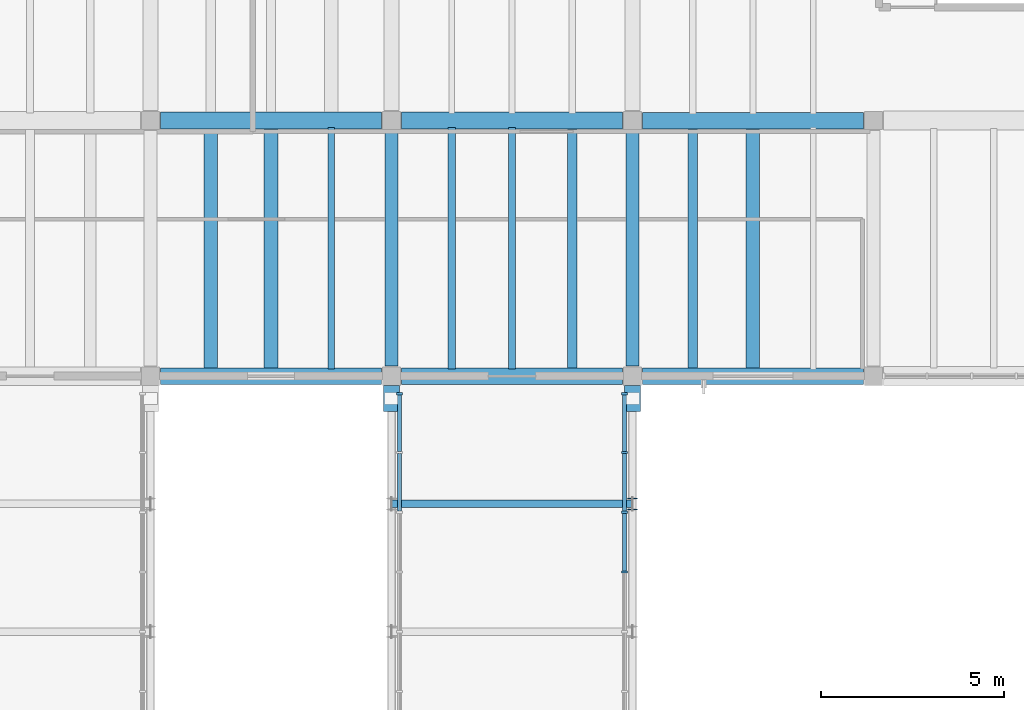
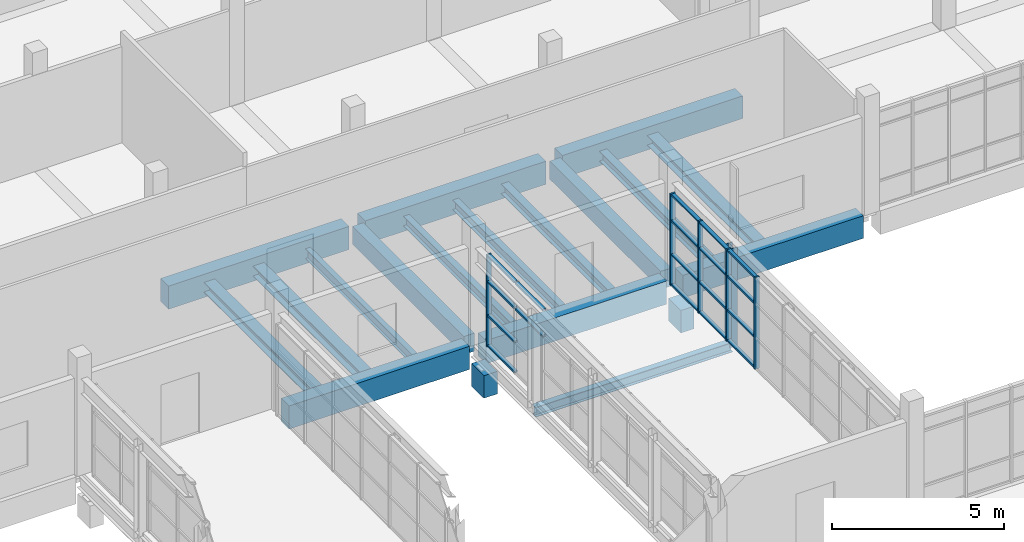
# One storey, part 27 of 65: 24 members, 19 beams, 2 elements without a shape of their own.
"""IFC4 building model written with IfcOpenShell, lengths in metres."""

from ifc_helpers import new_model, si_unit, direction, frame, origin, origin_2d, place, context, subcontext, project, spatial, rectangle, i_section, extrude, material, material_profile, profile_set, type_object, element, aggregate, save


model = new_model("IFC4")

# Units and contexts
model_context = context("Model", 3, precision=1e-05, world=origin(), true_north=direction((0.0, 1.0)))
body_context = subcontext(model_context, "Body", "Model", "MODEL_VIEW")
ifc_project = project(units=[si_unit("LENGTHUNIT", "METRE"), si_unit("AREAUNIT", "SQUARE_METRE"), si_unit("VOLUMEUNIT", "CUBIC_METRE"), si_unit("PLANEANGLEUNIT", "RADIAN"), si_unit("MASSUNIT", "GRAM", prefix="KILO")], contexts=[model_context])

# Site, building, storey
site_placement = place(None, origin())
site = spatial("IfcSite", under=ifc_project, at=site_placement, CompositionType="ELEMENT")
building_placement = place(site_placement, origin())
building = spatial("IfcBuilding", under=site, at=building_placement, Name="Ciguamira Faculty of Natural Sciences", CompositionType="ELEMENT")
storey_placement = place(building_placement, frame((0.0, 0.0, 12.60009765625)))
storey = spatial("IfcBuildingStorey", under=building, at=storey_placement, Name="L03", CompositionType="ELEMENT", Elevation=12.60009765625)

# Curtain wall, member
ifc_material_1 = material(Name="Anodized aluminium curtain wall", Category="aluminium")
curtain_wall_type_1 = type_object("IfcCurtainWallType", Name="CurtainWall_CW-12", PredefinedType="USERDEFINED", material=ifc_material_1)
curtain_wall_1_placement = place(storey_placement, origin())
curtain_wall_1 = element("IfcCurtainWall", 1, at=curtain_wall_1_placement, inside=storey, type_object=curtain_wall_type_1, Name="Link bridge BR-4 glazed curtain wall W", ObjectType="UNITISED CURTAIN WALL", PredefinedType="USERDEFINED")
ifc_material_2 = material(Name="Anodized aluminium mullion", Category="aluminium")
ifc_material_profile_1 = material_profile(ifc_material_2, rectangle(XDim=0.06005859375, YDim=0.159912109375, at=origin_2d()), Name="ALU-MUL-60X160")
ifc_profile_set_1 = profile_set([ifc_material_profile_1], Name="Anodized aluminium mullion")
member_type_1 = type_object("IfcMemberType", Name="CWMullion_CWM-01", PredefinedType="MULLION", material=ifc_profile_set_1)
member_1_placement = place(storey_placement, frame((90.52001953125, 72.52001953125, 0.0), z_axis=(0.0, 0.0, 1.0), x_axis=(0.0, 1.0, 0.0)))
member_1 = element("IfcMember", 2, at=member_1_placement, type_object=member_type_1, Name="CW-12 mullion 9", PredefinedType="MULLION", context=body_context, shape_type="SweptSolid", body=[
    extrude(rectangle(XDim=0.06005859375, YDim=0.159912109375, at=origin_2d()), origin(), (0.0, 0.0, 1.0), 3.25),
])

# Curtain wall, members
curtain_wall_type_2 = type_object("IfcCurtainWallType", Name="CurtainWall_CW-01", PredefinedType="USERDEFINED", material=ifc_material_1)
curtain_wall_2_placement = place(storey_placement, origin())
curtain_wall_2 = element("IfcCurtainWall", 3, at=curtain_wall_2_placement, inside=storey, type_object=curtain_wall_type_2, Name="Link bridge BR-4 glazed curtain wall E", ObjectType="UNITISED CURTAIN WALL", PredefinedType="USERDEFINED")
member_2_placement = place(storey_placement, frame((96.679931640625, 67.637451171875, 0.0), z_axis=(0.0, 0.0, 1.0), x_axis=(0.0, 1.0, 0.0)))
member_2 = element("IfcMember", 4, at=member_2_placement, type_object=member_type_1, Name="CW-01 mullion 6", PredefinedType="MULLION", context=body_context, shape_type="SweptSolid", body=[
    extrude(rectangle(XDim=0.06005859375, YDim=0.159912109375, at=origin_2d()), origin(), (0.0, 0.0, 1.0), 3.25),
])
member_3_placement = place(storey_placement, frame((96.679931640625, 69.27490234375, 0.0), z_axis=(0.0, 0.0, 1.0), x_axis=(0.0, 1.0, 0.0)))
member_3 = element("IfcMember", 5, at=member_3_placement, type_object=member_type_1, Name="CW-01 mullion 7", PredefinedType="MULLION", context=body_context, shape_type="SweptSolid", body=[
    extrude(rectangle(XDim=0.06005859375, YDim=0.159912109375, at=origin_2d()), origin(), (0.0, 0.0, 1.0), 3.25),
])
member_4_placement = place(storey_placement, frame((96.679931640625, 70.91259765625, 0.0), z_axis=(0.0, 0.0, 1.0), x_axis=(0.0, 1.0, 0.0)))
member_4 = element("IfcMember", 6, at=member_4_placement, type_object=member_type_1, Name="CW-01 mullion 8", PredefinedType="MULLION", context=body_context, shape_type="SweptSolid", body=[
    extrude(rectangle(XDim=0.06005859375, YDim=0.159912109375, at=origin_2d()), origin(), (0.0, 0.0, 1.0), 3.25),
])
member_5_placement = place(storey_placement, frame((96.679931640625, 72.52001953125, 0.0), z_axis=(0.0, 0.0, 1.0), x_axis=(0.0, 1.0, 0.0)))
member_5 = element("IfcMember", 7, at=member_5_placement, type_object=member_type_1, Name="CW-01 mullion 9", PredefinedType="MULLION", context=body_context, shape_type="SweptSolid", body=[
    extrude(rectangle(XDim=0.06005859375, YDim=0.159912109375, at=origin_2d()), origin(), (0.0, 0.0, 1.0), 3.25),
])

# Member
ifc_material_3 = material(Name="Anodized aluminium transom", Category="aluminium")
ifc_material_profile_2 = material_profile(ifc_material_3, rectangle(XDim=0.06005859375, YDim=0.1201171875, at=origin_2d()), Name="ALU-TRN-60X120")
ifc_profile_set_2 = profile_set([ifc_material_profile_2], Name="Anodized aluminium transom")
member_type_2 = type_object("IfcMemberType", Name="CWTransom_CWT-01", PredefinedType="USERDEFINED", material=ifc_profile_set_2)
member_6_placement = place(storey_placement, frame((90.52001953125, 69.304931640625, 2.2998046875), z_axis=(0.0, 1.0, 0.0), x_axis=(0.0, 0.0, 1.0)))
member_6 = element("IfcMember", 8, at=member_6_placement, type_object=member_type_2, Name="CW-12 transom 7.3", ObjectType="TRANSOM", PredefinedType="USERDEFINED", context=body_context, shape_type="SweptSolid", body=[
    extrude(rectangle(XDim=0.06005859375, YDim=0.1201171875, at=origin_2d()), origin(), (0.0, 0.0, 1.0), 1.57763671875),
])

member_7_placement = place(storey_placement, frame((90.52001953125, 69.304931640625, 3.219970703125), z_axis=(0.0, 1.0, 0.0), x_axis=(0.0, 0.0, 1.0)))
member_7 = element("IfcMember", 9, at=member_7_placement, type_object=member_type_2, Name="CW-12 transom 7.4", ObjectType="TRANSOM", PredefinedType="USERDEFINED", context=body_context, shape_type="SweptSolid", body=[
    extrude(rectangle(XDim=0.06005859375, YDim=0.1201171875, at=origin_2d()), origin(), (0.0, 0.0, 1.0), 1.57763671875),
])

member_8_placement = place(storey_placement, frame((90.52001953125, 70.9423828125, 0.02978515625), z_axis=(0.0, 1.0, 0.0), x_axis=(0.0, 0.0, 1.0)))
member_8 = element("IfcMember", 10, at=member_8_placement, type_object=member_type_2, Name="CW-12 transom 8.1", ObjectType="TRANSOM", PredefinedType="USERDEFINED", context=body_context, shape_type="SweptSolid", body=[
    extrude(rectangle(XDim=0.06005859375, YDim=0.1201171875, at=origin_2d()), origin(), (0.0, 0.0, 1.0), 1.547607421875),
])

member_9_placement = place(storey_placement, frame((90.52001953125, 70.9423828125, 1.099853515625), z_axis=(0.0, 1.0, 0.0), x_axis=(0.0, 0.0, 1.0)))
member_9 = element("IfcMember", 11, at=member_9_placement, type_object=member_type_2, Name="CW-12 transom 8.2", ObjectType="TRANSOM", PredefinedType="USERDEFINED", context=body_context, shape_type="SweptSolid", body=[
    extrude(rectangle(XDim=0.06005859375, YDim=0.1201171875, at=origin_2d()), origin(), (0.0, 0.0, 1.0), 1.547607421875),
])

member_10_placement = place(storey_placement, frame((90.52001953125, 70.9423828125, 2.2998046875), z_axis=(0.0, 1.0, 0.0), x_axis=(0.0, 0.0, 1.0)))
member_10 = element("IfcMember", 12, at=member_10_placement, type_object=member_type_2, Name="CW-12 transom 8.3", ObjectType="TRANSOM", PredefinedType="USERDEFINED", context=body_context, shape_type="SweptSolid", body=[
    extrude(rectangle(XDim=0.06005859375, YDim=0.1201171875, at=origin_2d()), origin(), (0.0, 0.0, 1.0), 1.547607421875),
])

member_11_placement = place(storey_placement, frame((90.52001953125, 70.9423828125, 3.219970703125), z_axis=(0.0, 1.0, 0.0), x_axis=(0.0, 0.0, 1.0)))
member_11 = element("IfcMember", 13, at=member_11_placement, type_object=member_type_2, Name="CW-12 transom 8.4", ObjectType="TRANSOM", PredefinedType="USERDEFINED", context=body_context, shape_type="SweptSolid", body=[
    extrude(rectangle(XDim=0.06005859375, YDim=0.1201171875, at=origin_2d()), origin(), (0.0, 0.0, 1.0), 1.547607421875),
])

aggregate(curtain_wall_1, [member_1, member_6, member_7, member_8, member_9, member_10, member_11])

member_12_placement = place(storey_placement, frame((96.679931640625, 67.66748046875, 0.02978515625), z_axis=(0.0, 1.0, 0.0), x_axis=(0.0, 0.0, 1.0)))
member_12 = element("IfcMember", 14, at=member_12_placement, type_object=member_type_2, Name="CW-01 transom 6.1", ObjectType="TRANSOM", PredefinedType="USERDEFINED", context=body_context, shape_type="SweptSolid", body=[
    extrude(rectangle(XDim=0.06005859375, YDim=0.1201171875, at=origin_2d()), origin(), (0.0, 0.0, 1.0), 1.57763671875),
])

member_13_placement = place(storey_placement, frame((96.679931640625, 67.66748046875, 1.099853515625), z_axis=(0.0, 1.0, 0.0), x_axis=(0.0, 0.0, 1.0)))
member_13 = element("IfcMember", 15, at=member_13_placement, type_object=member_type_2, Name="CW-01 transom 6.2", ObjectType="TRANSOM", PredefinedType="USERDEFINED", context=body_context, shape_type="SweptSolid", body=[
    extrude(rectangle(XDim=0.06005859375, YDim=0.1201171875, at=origin_2d()), origin(), (0.0, 0.0, 1.0), 1.57763671875),
])

member_14_placement = place(storey_placement, frame((96.679931640625, 67.66748046875, 2.2998046875), z_axis=(0.0, 1.0, 0.0), x_axis=(0.0, 0.0, 1.0)))
member_14 = element("IfcMember", 16, at=member_14_placement, type_object=member_type_2, Name="CW-01 transom 6.3", ObjectType="TRANSOM", PredefinedType="USERDEFINED", context=body_context, shape_type="SweptSolid", body=[
    extrude(rectangle(XDim=0.06005859375, YDim=0.1201171875, at=origin_2d()), origin(), (0.0, 0.0, 1.0), 1.57763671875),
])

member_15_placement = place(storey_placement, frame((96.679931640625, 67.66748046875, 3.219970703125), z_axis=(0.0, 1.0, 0.0), x_axis=(0.0, 0.0, 1.0)))
member_15 = element("IfcMember", 17, at=member_15_placement, type_object=member_type_2, Name="CW-01 transom 6.4", ObjectType="TRANSOM", PredefinedType="USERDEFINED", context=body_context, shape_type="SweptSolid", body=[
    extrude(rectangle(XDim=0.06005859375, YDim=0.1201171875, at=origin_2d()), origin(), (0.0, 0.0, 1.0), 1.57763671875),
])

member_16_placement = place(storey_placement, frame((96.679931640625, 69.304931640625, 0.02978515625), z_axis=(0.0, 1.0, 0.0), x_axis=(0.0, 0.0, 1.0)))
member_16 = element("IfcMember", 18, at=member_16_placement, type_object=member_type_2, Name="CW-01 transom 7.1", ObjectType="TRANSOM", PredefinedType="USERDEFINED", context=body_context, shape_type="SweptSolid", body=[
    extrude(rectangle(XDim=0.06005859375, YDim=0.1201171875, at=origin_2d()), origin(), (0.0, 0.0, 1.0), 1.57763671875),
])

member_17_placement = place(storey_placement, frame((96.679931640625, 69.304931640625, 1.099853515625), z_axis=(0.0, 1.0, 0.0), x_axis=(0.0, 0.0, 1.0)))
member_17 = element("IfcMember", 19, at=member_17_placement, type_object=member_type_2, Name="CW-01 transom 7.2", ObjectType="TRANSOM", PredefinedType="USERDEFINED", context=body_context, shape_type="SweptSolid", body=[
    extrude(rectangle(XDim=0.06005859375, YDim=0.1201171875, at=origin_2d()), origin(), (0.0, 0.0, 1.0), 1.57763671875),
])

member_18_placement = place(storey_placement, frame((96.679931640625, 69.304931640625, 2.2998046875), z_axis=(0.0, 1.0, 0.0), x_axis=(0.0, 0.0, 1.0)))
member_18 = element("IfcMember", 20, at=member_18_placement, type_object=member_type_2, Name="CW-01 transom 7.3", ObjectType="TRANSOM", PredefinedType="USERDEFINED", context=body_context, shape_type="SweptSolid", body=[
    extrude(rectangle(XDim=0.06005859375, YDim=0.1201171875, at=origin_2d()), origin(), (0.0, 0.0, 1.0), 1.57763671875),
])

member_19_placement = place(storey_placement, frame((96.679931640625, 69.304931640625, 3.219970703125), z_axis=(0.0, 1.0, 0.0), x_axis=(0.0, 0.0, 1.0)))
member_19 = element("IfcMember", 21, at=member_19_placement, type_object=member_type_2, Name="CW-01 transom 7.4", ObjectType="TRANSOM", PredefinedType="USERDEFINED", context=body_context, shape_type="SweptSolid", body=[
    extrude(rectangle(XDim=0.06005859375, YDim=0.1201171875, at=origin_2d()), origin(), (0.0, 0.0, 1.0), 1.57763671875),
])

member_20_placement = place(storey_placement, frame((96.679931640625, 70.9423828125, 0.02978515625), z_axis=(0.0, 1.0, 0.0), x_axis=(0.0, 0.0, 1.0)))
member_20 = element("IfcMember", 22, at=member_20_placement, type_object=member_type_2, Name="CW-01 transom 8.1", ObjectType="TRANSOM", PredefinedType="USERDEFINED", context=body_context, shape_type="SweptSolid", body=[
    extrude(rectangle(XDim=0.06005859375, YDim=0.1201171875, at=origin_2d()), origin(), (0.0, 0.0, 1.0), 1.547607421875),
])

member_21_placement = place(storey_placement, frame((96.679931640625, 70.9423828125, 1.099853515625), z_axis=(0.0, 1.0, 0.0), x_axis=(0.0, 0.0, 1.0)))
member_21 = element("IfcMember", 23, at=member_21_placement, type_object=member_type_2, Name="CW-01 transom 8.2", ObjectType="TRANSOM", PredefinedType="USERDEFINED", context=body_context, shape_type="SweptSolid", body=[
    extrude(rectangle(XDim=0.06005859375, YDim=0.1201171875, at=origin_2d()), origin(), (0.0, 0.0, 1.0), 1.547607421875),
])

member_22_placement = place(storey_placement, frame((96.679931640625, 70.9423828125, 2.2998046875), z_axis=(0.0, 1.0, 0.0), x_axis=(0.0, 0.0, 1.0)))
member_22 = element("IfcMember", 24, at=member_22_placement, type_object=member_type_2, Name="CW-01 transom 8.3", ObjectType="TRANSOM", PredefinedType="USERDEFINED", context=body_context, shape_type="SweptSolid", body=[
    extrude(rectangle(XDim=0.06005859375, YDim=0.1201171875, at=origin_2d()), origin(), (0.0, 0.0, 1.0), 1.547607421875),
])

member_23_placement = place(storey_placement, frame((96.679931640625, 70.9423828125, 3.219970703125), z_axis=(0.0, 1.0, 0.0), x_axis=(0.0, 0.0, 1.0)))
member_23 = element("IfcMember", 25, at=member_23_placement, type_object=member_type_2, Name="CW-01 transom 8.4", ObjectType="TRANSOM", PredefinedType="USERDEFINED", context=body_context, shape_type="SweptSolid", body=[
    extrude(rectangle(XDim=0.06005859375, YDim=0.1201171875, at=origin_2d()), origin(), (0.0, 0.0, 1.0), 1.547607421875),
])

aggregate(curtain_wall_2, [member_2, member_3, member_4, member_5, member_12, member_13, member_14, member_15, member_16, member_17, member_18, member_19, member_20, member_21, member_22, member_23])

# Beams
ifc_material_4 = material(Name="Concrete C40/50", Category="concrete")
ifc_material_profile_3 = material_profile(ifc_material_4, rectangle(XDim=0.4599609375, YDim=0.820068359375, at=origin_2d()), Name="RC-BM-460X820")
ifc_profile_set_3 = profile_set([ifc_material_profile_3], Name="Concrete C40/50")
beam_type_1 = type_object("IfcBeamType", Name="RCBeam_BG-04_RC-BM-460X820", PredefinedType="BEAM", material=ifc_profile_set_3)
beam_1_placement = place(storey_placement, frame((83.97509765625, 73.0, -0.41015625), z_axis=(1.0, 0.0, 0.0), x_axis=(0.0, 1.0, 0.0)))
element("IfcBeam", 26, at=beam_1_placement, inside=storey, type_object=beam_type_1, Name="L03 RC girder EW-1124", PredefinedType="BEAM", context=body_context, shape_type="SweptSolid", body=[
    extrude(rectangle(XDim=0.4599609375, YDim=0.820068359375, at=origin_2d()), origin(), (0.0, 0.0, 1.0), 6.0498046875),
])
beam_2_placement = place(storey_placement, frame((90.574951171875, 73.0, -0.41015625), z_axis=(1.0, 0.0, 0.0), x_axis=(0.0, 1.0, 0.0)))
element("IfcBeam", 27, at=beam_2_placement, inside=storey, type_object=beam_type_1, Name="L03 RC girder EW-1125", PredefinedType="BEAM", context=body_context, shape_type="SweptSolid", body=[
    extrude(rectangle(XDim=0.4599609375, YDim=0.820068359375, at=origin_2d()), origin(), (0.0, 0.0, 1.0), 6.050048828125),
])
beam_3_placement = place(storey_placement, frame((83.97509765625, 80.0, -0.41015625), z_axis=(1.0, 0.0, 0.0), x_axis=(0.0, 1.0, 0.0)))
element("IfcBeam", 28, at=beam_3_placement, inside=storey, type_object=beam_type_1, Name="L03 RC girder EW-1133", PredefinedType="BEAM", context=body_context, shape_type="SweptSolid", body=[
    extrude(rectangle(XDim=0.4599609375, YDim=0.820068359375, at=origin_2d()), origin(), (0.0, 0.0, 1.0), 6.0498046875),
])
beam_4_placement = place(storey_placement, frame((90.574951171875, 80.0, -0.41015625), z_axis=(1.0, 0.0, 0.0), x_axis=(0.0, 1.0, 0.0)))
element("IfcBeam", 29, at=beam_4_placement, inside=storey, type_object=beam_type_1, Name="L03 RC girder EW-1134", PredefinedType="BEAM", context=body_context, shape_type="SweptSolid", body=[
    extrude(rectangle(XDim=0.4599609375, YDim=0.820068359375, at=origin_2d()), origin(), (0.0, 0.0, 1.0), 6.050048828125),
])
ifc_material_profile_4 = material_profile(ifc_material_4, rectangle(XDim=0.449951171875, YDim=0.800048828125, at=origin_2d()), Name="RC-BM-450X800")
ifc_profile_set_4 = profile_set([ifc_material_profile_4], Name="Concrete C40/50")
beam_type_2 = type_object("IfcBeamType", Name="RCBeam_BG-05_RC-BM-450X800", PredefinedType="BEAM", material=ifc_profile_set_4)
for number, where, z_axis, x_axis, name in (
    (30, (97.175048828125, 73.0, -0.400146484375), (1.0, 0.0, 0.0), (0.0, 1.0, 0.0), "L03 RC girder EW-1126"),
    (31, (97.175048828125, 80.0, -0.400146484375), (1.0, 0.0, 0.0), (0.0, 1.0, 0.0), "L03 RC girder EW-1135"),
):
    element("IfcBeam", number, at=place(storey_placement, frame(where, z_axis=z_axis, x_axis=x_axis)), inside=storey, type_object=beam_type_2, Name=name, PredefinedType="BEAM", context=body_context, shape_type="SweptSolid", body=[
        extrude(rectangle(XDim=0.449951171875, YDim=0.800048828125, at=origin_2d()), origin(), (0.0, 0.0, 1.0), 6.050048828125),
    ])
for number, where, z_axis, x_axis, name in (
    (32, (90.300048828125, 72.030029296875, -1.015869140625), (0.0, 1.0, 0.0), (-1.0, 0.0, 0.0), "Link bridge BR-4 sliding north RC corbel seat 1"),
    (33, (96.89990234375, 72.030029296875, -1.015869140625), (0.0, 1.0, 0.0), (-1.0, 0.0, 0.0), "Link bridge BR-4 sliding north RC corbel seat 2"),
):
    element("IfcBeam", number, at=place(storey_placement, frame(where, z_axis=z_axis, x_axis=x_axis)), inside=storey, type_object=beam_type_2, Name=name, PredefinedType="BEAM", context=body_context, shape_type="SweptSolid", body=[
        extrude(rectangle(XDim=0.449951171875, YDim=0.800048828125, at=origin_2d()), origin(), (0.0, 0.0, 1.0), 0.719970703125),
    ])
ifc_material_profile_5 = material_profile(ifc_material_4, rectangle(XDim=0.360107421875, YDim=0.639892578125, at=origin_2d()), Name="RC-BM-360X640")
ifc_profile_set_5 = profile_set([ifc_material_profile_5], Name="Concrete C40/50")
beam_type_3 = type_object("IfcBeamType", Name="RCBeam_BG-10_RC-BM-360X640", PredefinedType="BEAM", material=ifc_profile_set_5)
for number, where, z_axis, x_axis, name in (
    (34, (90.300048828125, 73.27490234375, -0.320068359375), (0.0, 1.0, 0.0), (-1.0, 0.0, 0.0), "L03 girder NS-1267"),
    (35, (96.89990234375, 73.27490234375, -0.320068359375), (0.0, 1.0, 0.0), (-1.0, 0.0, 0.0), "L03 girder NS-1278"),
):
    element("IfcBeam", number, at=place(storey_placement, frame(where, z_axis=z_axis, x_axis=x_axis)), inside=storey, type_object=beam_type_3, Name=name, PredefinedType="BEAM", context=body_context, shape_type="SweptSolid", body=[
        extrude(rectangle(XDim=0.360107421875, YDim=0.639892578125, at=origin_2d()), origin(), (0.0, 0.0, 1.0), 6.4501953125),
    ])
ifc_material_5 = material(Name="Steel ASTM A992 Grade 50", Category="steel")
ifc_material_profile_6 = material_profile(ifc_material_5, i_section(OverallWidth=0.370849609375, OverallDepth=0.36328125, WebThickness=0.013427734375, FlangeThickness=0.021728515625, at=origin_2d()), Name="W14X109")
ifc_profile_set_6 = profile_set([ifc_material_profile_6], Name="Steel ASTM A992 Grade 50")
beam_type_4 = type_object("IfcBeamType", Name="SteelJoist_SJ-09_W14X109", PredefinedType="JOIST", material=ifc_profile_set_6)
beam_5_placement = place(storey_placement, frame((85.35009765625, 73.18994140625, -0.461669921875), z_axis=(0.0, 1.0, 0.0), x_axis=(-1.0, 0.0, 0.0)))
element("IfcBeam", 36, at=beam_5_placement, inside=storey, type_object=beam_type_4, Name="L03 composite steel joist 01140", PredefinedType="JOIST", context=body_context, shape_type="SweptSolid", body=[
    extrude(i_section(OverallWidth=0.370849609375, OverallDepth=0.36328125, WebThickness=0.013427734375, FlangeThickness=0.021728515625, at=origin_2d()), origin(), (0.0, 0.0, 1.0), 6.6201171875),
])
ifc_material_profile_7 = material_profile(ifc_material_5, i_section(OverallWidth=0.373291015625, OverallDepth=0.373291015625, WebThickness=0.016357421875, FlangeThickness=0.026123046875, at=origin_2d()), Name="W14X132")
ifc_profile_set_7 = profile_set([ifc_material_profile_7], Name="Steel ASTM A992 Grade 50")
beam_type_5 = type_object("IfcBeamType", Name="SteelJoist_SJ-10_W14X132", PredefinedType="JOIST", material=ifc_profile_set_7)
beam_6_placement = place(storey_placement, frame((87.0, 73.18994140625, -0.466796875), z_axis=(0.0, 1.0, 0.0), x_axis=(-1.0, 0.0, 0.0)))
element("IfcBeam", 37, at=beam_6_placement, inside=storey, type_object=beam_type_5, Name="L03 composite steel joist 01141", PredefinedType="JOIST", context=body_context, shape_type="SweptSolid", body=[
    extrude(i_section(OverallWidth=0.373291015625, OverallDepth=0.373291015625, WebThickness=0.016357421875, FlangeThickness=0.026123046875, at=origin_2d()), origin(), (0.0, 0.0, 1.0), 6.6201171875),
])
ifc_material_profile_8 = material_profile(ifc_material_5, i_section(OverallWidth=0.1708984375, OverallDepth=0.3505859375, WebThickness=0.0068359375, FlangeThickness=0.009765625, at=origin_2d()), Name="W14X30")
ifc_profile_set_8 = profile_set([ifc_material_profile_8], Name="Steel ASTM A992 Grade 50")
beam_type_6 = type_object("IfcBeamType", Name="SteelJoist_SJ-11_W14X30", PredefinedType="JOIST", material=ifc_profile_set_8)
beam_7_placement = place(storey_placement, frame((88.64990234375, 73.18994140625, -0.455322265625), z_axis=(0.0, 1.0, 0.0), x_axis=(-1.0, 0.0, 0.0)))
element("IfcBeam", 38, at=beam_7_placement, inside=storey, type_object=beam_type_6, Name="L03 composite steel joist 01142", PredefinedType="JOIST", context=body_context, shape_type="SweptSolid", body=[
    extrude(i_section(OverallWidth=0.1708984375, OverallDepth=0.3505859375, WebThickness=0.0068359375, FlangeThickness=0.009765625, at=origin_2d()), origin(), (0.0, 0.0, 1.0), 6.6201171875),
])
ifc_material_profile_9 = material_profile(ifc_material_5, i_section(OverallWidth=0.203125, OverallDepth=0.347900390625, WebThickness=0.0078125, FlangeThickness=0.013427734375, at=origin_2d()), Name="W14X43")
ifc_profile_set_9 = profile_set([ifc_material_profile_9], Name="Steel ASTM A992 Grade 50")
beam_type_7 = type_object("IfcBeamType", Name="SteelJoist_SJ-12_W14X43", PredefinedType="JOIST", material=ifc_profile_set_9)
beam_8_placement = place(storey_placement, frame((91.949951171875, 73.18994140625, -0.4541015625), z_axis=(0.0, 1.0, 0.0), x_axis=(-1.0, 0.0, 0.0)))
element("IfcBeam", 39, at=beam_8_placement, inside=storey, type_object=beam_type_7, Name="L03 composite steel joist 01165", PredefinedType="JOIST", context=body_context, shape_type="SweptSolid", body=[
    extrude(i_section(OverallWidth=0.203125, OverallDepth=0.347900390625, WebThickness=0.0078125, FlangeThickness=0.013427734375, at=origin_2d()), origin(), (0.0, 0.0, 1.0), 6.6201171875),
])
beam_9_placement = place(storey_placement, frame((90.300048828125, 69.5, -0.39404296875), z_axis=(1.0, 0.0, 0.0), x_axis=(0.0, 1.0, 0.0)))
element("IfcBeam", 40, at=beam_9_placement, inside=storey, type_object=beam_type_7, Name="Link bridge BR-4 floor crossbeam 3", PredefinedType="JOIST", context=body_context, shape_type="SweptSolid", body=[
    extrude(i_section(OverallWidth=0.203125, OverallDepth=0.347900390625, WebThickness=0.0078125, FlangeThickness=0.013427734375, at=origin_2d()), origin(), (0.0, 0.0, 1.0), 6.599853515625),
])
ifc_material_profile_10 = material_profile(ifc_material_5, i_section(OverallWidth=0.204833984375, OverallDepth=0.35302734375, WebThickness=0.00927734375, FlangeThickness=0.016845703125, at=origin_2d()), Name="W14X53")
ifc_profile_set_10 = profile_set([ifc_material_profile_10], Name="Steel ASTM A992 Grade 50")
beam_type_8 = type_object("IfcBeamType", Name="SteelJoist_SJ-13_W14X53", PredefinedType="JOIST", material=ifc_profile_set_10)
beam_10_placement = place(storey_placement, frame((93.60009765625, 73.18994140625, -0.45654296875), z_axis=(0.0, 1.0, 0.0), x_axis=(-1.0, 0.0, 0.0)))
element("IfcBeam", 41, at=beam_10_placement, inside=storey, type_object=beam_type_8, Name="L03 composite steel joist 01166", PredefinedType="JOIST", context=body_context, shape_type="SweptSolid", body=[
    extrude(i_section(OverallWidth=0.204833984375, OverallDepth=0.35302734375, WebThickness=0.00927734375, FlangeThickness=0.016845703125, at=origin_2d()), origin(), (0.0, 0.0, 1.0), 6.6201171875),
])
ifc_material_profile_11 = material_profile(ifc_material_5, i_section(OverallWidth=0.25390625, OverallDepth=0.355712890625, WebThickness=0.010498046875, FlangeThickness=0.018310546875, at=origin_2d()), Name="W14X68")
ifc_profile_set_11 = profile_set([ifc_material_profile_11], Name="Steel ASTM A992 Grade 50")
beam_type_9 = type_object("IfcBeamType", Name="SteelJoist_SJ-14_W14X68", PredefinedType="JOIST", material=ifc_profile_set_11)
beam_11_placement = place(storey_placement, frame((95.25, 73.18994140625, -0.4580078125), z_axis=(0.0, 1.0, 0.0), x_axis=(-1.0, 0.0, 0.0)))
element("IfcBeam", 42, at=beam_11_placement, inside=storey, type_object=beam_type_9, Name="L03 composite steel joist 01167", PredefinedType="JOIST", context=body_context, shape_type="SweptSolid", body=[
    extrude(i_section(OverallWidth=0.25390625, OverallDepth=0.355712890625, WebThickness=0.010498046875, FlangeThickness=0.018310546875, at=origin_2d()), origin(), (0.0, 0.0, 1.0), 6.6201171875),
])
ifc_material_profile_12 = material_profile(ifc_material_5, i_section(OverallWidth=0.256591796875, OverallDepth=0.36328125, WebThickness=0.012939453125, FlangeThickness=0.021728515625, at=origin_2d()), Name="W14X82")
ifc_profile_set_12 = profile_set([ifc_material_profile_12], Name="Steel ASTM A992 Grade 50")
beam_type_10 = type_object("IfcBeamType", Name="SteelJoist_SJ-15_W14X82", PredefinedType="JOIST", material=ifc_profile_set_12)
beam_12_placement = place(storey_placement, frame((98.550048828125, 73.18505859375, -0.461669921875), z_axis=(0.0, 1.0, 0.0), x_axis=(-1.0, 0.0, 0.0)))
element("IfcBeam", 43, at=beam_12_placement, inside=storey, type_object=beam_type_10, Name="L03 composite steel joist 01191", PredefinedType="JOIST", context=body_context, shape_type="SweptSolid", body=[
    extrude(i_section(OverallWidth=0.256591796875, OverallDepth=0.36328125, WebThickness=0.012939453125, FlangeThickness=0.021728515625, at=origin_2d()), origin(), (0.0, 0.0, 1.0), 6.6298828125),
])
ifc_material_profile_13 = material_profile(ifc_material_5, i_section(OverallWidth=0.368408203125, OverallDepth=0.355712890625, WebThickness=0.01123046875, FlangeThickness=0.01806640625, at=origin_2d()), Name="W14X90")
ifc_profile_set_13 = profile_set([ifc_material_profile_13], Name="Steel ASTM A992 Grade 50")
beam_type_11 = type_object("IfcBeamType", Name="SteelJoist_SJ-16_W14X90", PredefinedType="JOIST", material=ifc_profile_set_13)
beam_13_placement = place(storey_placement, frame((100.199951171875, 73.18505859375, -0.4580078125), z_axis=(0.0, 1.0, 0.0), x_axis=(-1.0, 0.0, 0.0)))
element("IfcBeam", 44, at=beam_13_placement, inside=storey, type_object=beam_type_11, Name="L03 composite steel joist 01192", PredefinedType="JOIST", context=body_context, shape_type="SweptSolid", body=[
    extrude(i_section(OverallWidth=0.368408203125, OverallDepth=0.355712890625, WebThickness=0.01123046875, FlangeThickness=0.01806640625, at=origin_2d()), origin(), (0.0, 0.0, 1.0), 6.6298828125),
])

# Member
ifc_material_profile_14 = material_profile(ifc_material_5, i_section(OverallWidth=0.25390625, OverallDepth=0.307373046875, WebThickness=0.0087890625, FlangeThickness=0.0146484375, at=origin_2d()), Name="W12X53")
ifc_profile_set_14 = profile_set([ifc_material_profile_14], Name="Steel ASTM A992 Grade 50")
member_type_3 = type_object("IfcMemberType", Name="SteelMember_TS-02_W12X53", PredefinedType="STRUT", material=ifc_profile_set_14)
member_24_placement = place(storey_placement, frame((96.89990234375, 69.5, -0.35009765625), z_axis=(0.0, 0.0, 1.0), x_axis=(1.0, 0.0, 0.0)))
element("IfcMember", 45, at=member_24_placement, inside=storey, type_object=member_type_3, Name="Link bridge BR-4 truss vertical 2-4", PredefinedType="STRUT", context=body_context, shape_type="SweptSolid", body=[
    extrude(i_section(OverallWidth=0.25390625, OverallDepth=0.307373046875, WebThickness=0.0087890625, FlangeThickness=0.0146484375, at=origin_2d()), origin(), (0.0, 0.0, 1.0), 3.5),
])

save(model, "model.ifc")
